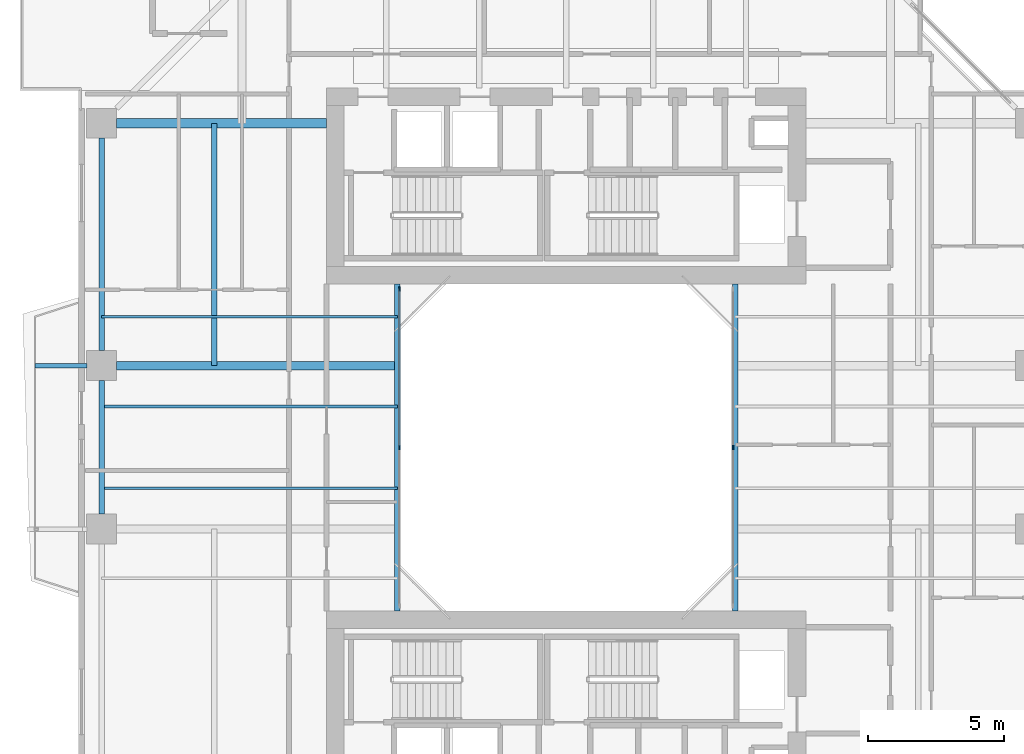
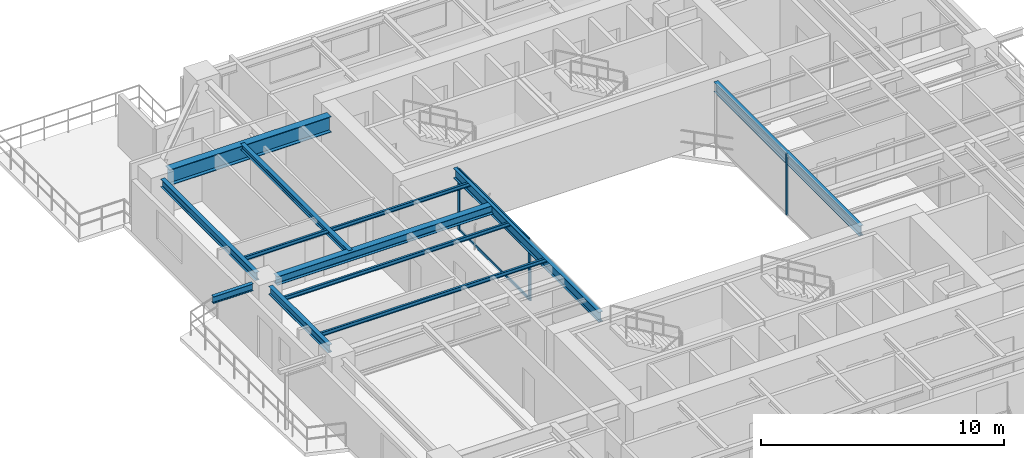
# One storey, part 5 of 17: 11 beams, 5 members, 2 elements without a shape of their own.
"""IFC4 building model written with IfcOpenShell, lengths in metres."""

from ifc_helpers import new_model, si_unit, direction, frame, origin, origin_2d, place, context, subcontext, project, spatial, rectangle, i_section, extrude, source, transform, mapped, material, layer, layer_set, material_profile, profile_set, type_object, element, aggregate, save


model = new_model("IFC4")

# Units and contexts
model_context = context("Model", 3, precision=1e-05, world=origin(), true_north=direction((0.0, 1.0)))
body_context = subcontext(model_context, "Body", "Model", "MODEL_VIEW")
ifc_project = project(units=[si_unit("LENGTHUNIT", "METRE"), si_unit("AREAUNIT", "SQUARE_METRE"), si_unit("VOLUMEUNIT", "CUBIC_METRE"), si_unit("PLANEANGLEUNIT", "RADIAN"), si_unit("MASSUNIT", "GRAM", prefix="KILO"), si_unit("THERMODYNAMICTEMPERATUREUNIT", "KELVIN"), si_unit("POWERUNIT", "WATT")], contexts=[model_context])

# Site, building, storey
site_placement = place(None, origin())
site = spatial("IfcSite", under=ifc_project, at=site_placement, CompositionType="ELEMENT")
building_placement = place(site_placement, origin())
building = spatial("IfcBuilding", under=site, at=building_placement, Name="Qiaomeng Ring Towers", CompositionType="ELEMENT")
storey_placement = place(building_placement, frame((0.0, 0.0, 132.75)))
storey = spatial("IfcBuildingStorey", under=building, at=storey_placement, Name="L38", CompositionType="ELEMENT", Elevation=132.75)

# Beams
ifc_material_1 = material(Name="Steel Q355B", Category="steel")
ifc_material_profile_1 = material_profile(ifc_material_1, i_section(OverallWidth=0.199951171875, OverallDepth=0.5, WebThickness=0.010009765625, FlangeThickness=0.01611328125, FilletRadius=0.02001953125, at=origin_2d()), Name="HN 500x200x10x16")
ifc_profile_set_1 = profile_set([ifc_material_profile_1], Name="Steel Q355B")
beam_type_1 = type_object("IfcBeamType", Name="STR-BM-HN500", PredefinedType="BEAM", material=ifc_profile_set_1)
shared_shape_1 = source(origin(), body_context, "Body", "SweptSolid", [
    extrude(i_section(OverallWidth=0.199951171875, OverallDepth=0.5, WebThickness=0.010009765625, FlangeThickness=0.01611328125, FilletRadius=0.02001953125, at=origin_2d()), origin(), (0.0, 0.0, 1.0), 12.0),
])
for number, where, z_axis, x_axis, name in (
    (1, (12.800048828125, 17.0, 2.820068359375), (0.0, 1.0, 0.0), (-1.0, 0.0, 0.0), "L38 beam STR-BM-L38-WELL-W"),
    (2, (25.199951171875, 17.0, 2.820068359375), (0.0, 1.0, 0.0), (-1.0, 0.0, 0.0), "L38 beam STR-BM-L38-WELL-E"),
):
    element("IfcBeam", number, at=place(storey_placement, frame(where, z_axis=z_axis, x_axis=x_axis)), inside=storey, type_object=beam_type_1, Name=name, PredefinedType="BEAM", context=body_context, shape_type="MappedRepresentation", body=[
        mapped(shared_shape_1, transform((0.0, 0.0, 0.0), x_axis=(1.0, 0.0, 0.0), y_axis=(0.0, 1.0, 0.0), z_axis=(0.0, 0.0, 1.0), scale=1.0)),
    ])
ifc_material_profile_2 = material_profile(ifc_material_1, i_section(OverallWidth=0.199951171875, OverallDepth=0.39990234375, WebThickness=0.008056640625, FlangeThickness=0.012939453125, FilletRadius=0.01611328125, at=origin_2d()), Name="HN 400x200x8x13")
ifc_profile_set_2 = profile_set([ifc_material_profile_2], Name="Steel Q355B")
beam_type_2 = type_object("IfcBeamType", Name="STR-BM-HN400", PredefinedType="SPANDREL", material=ifc_profile_set_2)
shared_shape_2 = source(origin(), body_context, "Body", "SweptSolid", [
    extrude(i_section(OverallWidth=0.199951171875, OverallDepth=0.39990234375, WebThickness=0.008056640625, FlangeThickness=0.012939453125, FilletRadius=0.01611328125, at=origin_2d()), origin(), (0.0, 0.0, 1.0), 7.802001953125),
])
beam_1_placement = place(storey_placement, frame((1.949951171875, 34.35107421875, 2.8701171875), z_axis=(0.0, -1.0, 0.0), x_axis=(1.0, 0.0, 0.0)))
element("IfcBeam", 3, at=beam_1_placement, inside=storey, type_object=beam_type_2, Name="L38 beam STR-SP-L38-T1-W4-W3", PredefinedType="SPANDREL", context=body_context, shape_type="MappedRepresentation", body=[
    mapped(shared_shape_2, transform((0.0, 0.0, 0.0), x_axis=(1.0, 0.0, 0.0), y_axis=(0.0, 1.0, 0.0), z_axis=(0.0, 0.0, 1.0), scale=1.0)),
])
shared_shape_3 = source(origin(), body_context, "Body", "SweptSolid", [
    extrude(i_section(OverallWidth=0.199951171875, OverallDepth=0.39990234375, WebThickness=0.008056640625, FlangeThickness=0.012939453125, FilletRadius=0.01611328125, at=origin_2d()), origin(), (0.0, 0.0, 1.0), 4.90185546875),
])
beam_2_placement = place(storey_placement, frame((1.949951171875, 25.450927734375, 2.8701171875), z_axis=(0.0, -1.0, 0.0), x_axis=(1.0, 0.0, 0.0)))
element("IfcBeam", 4, at=beam_2_placement, inside=storey, type_object=beam_type_2, Name="L38 beam STR-SP-L38-T1-W3-W2", PredefinedType="SPANDREL", context=body_context, shape_type="MappedRepresentation", body=[
    mapped(shared_shape_3, transform((0.0, 0.0, 0.0), x_axis=(1.0, 0.0, 0.0), y_axis=(0.0, 1.0, 0.0), z_axis=(0.0, 0.0, 1.0), scale=1.0)),
])
ifc_material_2 = material(Name="Steel Q390GJC", Category="steel")
ifc_material_profile_3 = material_profile(ifc_material_2, i_section(OverallWidth=0.35009765625, OverallDepth=0.800048828125, WebThickness=0.01611328125, FlangeThickness=0.028076171875, at=origin_2d()), Name="WH 800x350x16x28")
ifc_profile_set_3 = profile_set([ifc_material_profile_3], Name="Steel Q390GJC")
beam_type_3 = type_object("IfcBeamType", Name="STR-BM-WH800", PredefinedType="BEAM", material=ifc_profile_set_3)
shared_shape_4 = source(origin(), body_context, "Body", "SweptSolid", [
    extrude(i_section(OverallWidth=0.35009765625, OverallDepth=0.800048828125, WebThickness=0.01611328125, FlangeThickness=0.028076171875, at=origin_2d()), origin(), (0.0, 0.0, 1.0), 7.700927734375),
])
beam_3_placement = place(storey_placement, frame((2.4990234375, 34.89990234375, 2.669921875), z_axis=(1.0, 0.0, 0.0), x_axis=(0.0, 1.0, 0.0)))
element("IfcBeam", 5, at=beam_3_placement, inside=storey, type_object=beam_type_3, Name="L38 beam STR-BM-L38-T1-RAD-W4", PredefinedType="BEAM", context=body_context, shape_type="MappedRepresentation", body=[
    mapped(shared_shape_4, transform((0.0, 0.0, 0.0), x_axis=(1.0, 0.0, 0.0), y_axis=(0.0, 1.0, 0.0), z_axis=(0.0, 0.0, 1.0), scale=1.0)),
])
ifc_material_profile_4 = material_profile(ifc_material_1, i_section(OverallWidth=0.300048828125, OverallDepth=0.43994140625, WebThickness=0.010986328125, FlangeThickness=0.01806640625, FilletRadius=0.02392578125, at=origin_2d()), Name="HM 440x300x11x18")
ifc_profile_set_4 = profile_set([ifc_material_profile_4], Name="Steel Q355B")
beam_type_4 = type_object("IfcBeamType", Name="STR-BM-HM440", PredefinedType="BEAM", material=ifc_profile_set_4)
shared_shape_5 = source(origin(), body_context, "Body", "SweptSolid", [
    extrude(i_section(OverallWidth=0.300048828125, OverallDepth=0.43994140625, WebThickness=0.010986328125, FlangeThickness=0.01806640625, FilletRadius=0.02392578125, at=origin_2d()), origin(), (0.0, 0.0, 1.0), 10.301025390625),
])
beam_4_placement = place(storey_placement, frame((2.4990234375, 26.0, 2.85009765625), z_axis=(1.0, 0.0, 0.0), x_axis=(0.0, 1.0, 0.0)))
element("IfcBeam", 6, at=beam_4_placement, inside=storey, type_object=beam_type_4, Name="L38 beam STR-BM-L38-T1-RAD-W3", PredefinedType="BEAM", context=body_context, shape_type="MappedRepresentation", body=[
    mapped(shared_shape_5, transform((0.0, 0.0, 0.0), x_axis=(1.0, 0.0, 0.0), y_axis=(0.0, 1.0, 0.0), z_axis=(0.0, 0.0, 1.0), scale=1.0)),
])
ifc_material_profile_5 = material_profile(ifc_material_1, i_section(OverallWidth=0.10009765625, OverallDepth=0.199951171875, WebThickness=0.005615234375, FlangeThickness=0.008056640625, FilletRadius=0.010986328125, at=origin_2d()), Name="HN 200x100x5.5x8")
ifc_profile_set_5 = profile_set([ifc_material_profile_5], Name="Steel Q355B")
beam_type_5 = type_object("IfcBeamType", Name="STR-BM-HN200", PredefinedType="JOIST", material=ifc_profile_set_5)
shared_shape_6 = source(origin(), body_context, "Body", "SweptSolid", [
    extrude(i_section(OverallWidth=0.10009765625, OverallDepth=0.199951171875, WebThickness=0.005615234375, FlangeThickness=0.008056640625, FilletRadius=0.010986328125, at=origin_2d()), origin(), (0.0, 0.0, 1.0), 10.85009765625),
])
for number, where, z_axis, x_axis, name in (
    (7, (1.949951171875, 21.5, 2.969970703125), (1.0, 0.0, 0.0), (0.0, 1.0, 0.0), "L38 beam STR-JST-L38-T1W-2"),
    (8, (1.949951171875, 24.5, 2.969970703125), (1.0, 0.0, 0.0), (0.0, 1.0, 0.0), "L38 beam STR-JST-L38-T1W-3"),
    (9, (1.949951171875, 27.800048828125, 2.969970703125), (1.0, 0.0, 0.0), (0.0, 1.0, 0.0), "L38 beam STR-JST-L38-T1W-4"),
):
    element("IfcBeam", number, at=place(storey_placement, frame(where, z_axis=z_axis, x_axis=x_axis)), inside=storey, type_object=beam_type_5, Name=name, PredefinedType="JOIST", context=body_context, shape_type="MappedRepresentation", body=[
        mapped(shared_shape_6, transform((0.0, 0.0, 0.0), x_axis=(1.0, 0.0, 0.0), y_axis=(0.0, 1.0, 0.0), z_axis=(0.0, 0.0, 1.0), scale=1.0)),
    ])
ifc_material_profile_6 = material_profile(ifc_material_1, i_section(OverallWidth=0.199951171875, OverallDepth=0.2939453125, WebThickness=0.008056640625, FlangeThickness=0.011962890625, FilletRadius=0.01806640625, at=origin_2d()), Name="HM 294x200x8x12")
ifc_profile_set_6 = profile_set([ifc_material_profile_6], Name="Steel Q355B")
beam_type_6 = type_object("IfcBeamType", Name="STR-BM-HM294", PredefinedType="JOIST", material=ifc_profile_set_6)
shared_shape_7 = source(origin(), body_context, "Body", "SweptSolid", [
    extrude(i_section(OverallWidth=0.199951171875, OverallDepth=0.2939453125, WebThickness=0.008056640625, FlangeThickness=0.011962890625, FilletRadius=0.01806640625, at=origin_2d()), origin(), (0.0, 0.0, 1.0), 8.89990234375),
])
beam_5_placement = place(storey_placement, frame((6.074951171875, 26.0, 2.923095703125), z_axis=(0.0, 1.0, 0.0), x_axis=(-1.0, 0.0, 0.0)))
element("IfcBeam", 10, at=beam_5_placement, inside=storey, type_object=beam_type_6, Name="L38 beam STR-JST-L38-T1C-WN", PredefinedType="JOIST", context=body_context, shape_type="MappedRepresentation", body=[
    mapped(shared_shape_7, transform((0.0, 0.0, 0.0), x_axis=(1.0, 0.0, 0.0), y_axis=(0.0, 1.0, 0.0), z_axis=(0.0, 0.0, 1.0), scale=1.0)),
])
ifc_material_profile_7 = material_profile(ifc_material_1, i_section(OverallWidth=0.175048828125, OverallDepth=0.35009765625, WebThickness=0.007080078125, FlangeThickness=0.010986328125, FilletRadius=0.013916015625, at=origin_2d()), Name="HN 350x175x7x11")
ifc_profile_set_7 = profile_set([ifc_material_profile_7], Name="Steel Q355B")
beam_type_7 = type_object("IfcBeamType", Name="STR-BM-HN350", PredefinedType="JOIST", material=ifc_profile_set_7)
shared_shape_8 = source(origin(), body_context, "Body", "SweptSolid", [
    extrude(i_section(OverallWidth=0.175048828125, OverallDepth=0.35009765625, WebThickness=0.007080078125, FlangeThickness=0.010986328125, FilletRadius=0.013916015625, at=origin_2d()), origin(), (0.0, 0.0, 1.0), 1.90087890625),
])
beam_6_placement = place(storey_placement, frame((-0.5, 26.0, 2.89501953125), z_axis=(1.0, 0.0, 0.0), x_axis=(0.0, 1.0, 0.0)))
element("IfcBeam", 11, at=beam_6_placement, inside=storey, type_object=beam_type_7, Name="L38 beam STR-BALBM-L38-W3", PredefinedType="JOIST", context=body_context, shape_type="MappedRepresentation", body=[
    mapped(shared_shape_8, transform((0.0, 0.0, 0.0), x_axis=(1.0, 0.0, 0.0), y_axis=(0.0, 1.0, 0.0), z_axis=(0.0, 0.0, 1.0), scale=1.0)),
])

# Curtain wall, members
ifc_material_3 = material(Name="Fluorocarbon dark-grey aluminium", Category="aluminium")
ifc_layer = layer(ifc_material_3, 0.139892578125, Name="Fluorocarbon dark-grey aluminium")
ifc_layer_set = layer_set([ifc_layer], Name="Fluorocarbon dark-grey aluminium")
curtain_wall_type = type_object("IfcCurtainWallType", Name="ARC-CW-4", PredefinedType="NOTDEFINED", material=ifc_layer_set)
curtain_wall_1_placement = place(storey_placement, origin())
curtain_wall_1 = element("IfcCurtainWall", 12, at=curtain_wall_1_placement, inside=storey, type_object=curtain_wall_type, Name="L38 Curtain Wall CW4", PredefinedType="NOTDEFINED")
ifc_material_profile_8 = material_profile(ifc_material_3, rectangle(XDim=0.06494140625, YDim=0.159912109375, at=origin_2d()), Name="ALU MULL 65x160")
ifc_profile_set_8 = profile_set([ifc_material_profile_8], Name="Fluorocarbon dark-grey aluminium")
member_type_1 = type_object("IfcMemberType", Name="ARC-CWM-140", PredefinedType="MULLION", material=ifc_profile_set_8)
shared_shape_9 = source(origin(), body_context, "Body", "SweptSolid", [
    extrude(rectangle(XDim=0.06494140625, YDim=0.159912109375, at=origin_2d()), origin(), (0.0, 0.0, 1.0), 3.070068359375),
])
member_1_placement = place(storey_placement, frame((12.8798828125, 23.0, 0.0), z_axis=(0.0, 0.0, 1.0), x_axis=(-1.0, 0.0, 0.0)))
member_1 = element("IfcMember", 13, at=member_1_placement, type_object=member_type_1, Name="CW4 mullion 2", PredefinedType="MULLION", context=body_context, shape_type="MappedRepresentation", body=[
    mapped(shared_shape_9, transform((0.0, 0.0, 0.0), x_axis=(1.0, 0.0, 0.0), y_axis=(0.0, 1.0, 0.0), z_axis=(0.0, 0.0, 1.0), scale=1.0)),
])
member_2_placement = place(storey_placement, frame((12.8798828125, 28.8173828125, 0.0), z_axis=(0.0, 0.0, 1.0), x_axis=(-1.0, 0.0, 0.0)))
member_2 = element("IfcMember", 14, at=member_2_placement, type_object=member_type_1, Name="CW4 mullion 3", PredefinedType="MULLION", context=body_context, shape_type="MappedRepresentation", body=[
    mapped(shared_shape_9, transform((0.0, 0.0, 0.0), x_axis=(1.0, 0.0, 0.0), y_axis=(0.0, 1.0, 0.0), z_axis=(0.0, 0.0, 1.0), scale=1.0)),
])

# Curtain wall, member
curtain_wall_2_placement = place(storey_placement, origin())
curtain_wall_2 = element("IfcCurtainWall", 15, at=curtain_wall_2_placement, inside=storey, type_object=curtain_wall_type, Name="L38 Curtain Wall CW4", PredefinedType="NOTDEFINED")
member_3_placement = place(storey_placement, frame((25.1201171875, 23.0, 0.0), z_axis=(0.0, 0.0, 1.0), x_axis=(-1.0, 0.0, 0.0)))
member_3 = element("IfcMember", 16, at=member_3_placement, type_object=member_type_1, Name="CW4 mullion 2", PredefinedType="MULLION", context=body_context, shape_type="MappedRepresentation", body=[
    mapped(shared_shape_9, transform((0.0, 0.0, 0.0), x_axis=(1.0, 0.0, 0.0), y_axis=(0.0, 1.0, 0.0), z_axis=(0.0, 0.0, 1.0), scale=1.0)),
])
aggregate(curtain_wall_2, [member_3])

# Member
ifc_material_profile_9 = material_profile(ifc_material_3, rectangle(XDim=0.06494140625, YDim=0.1298828125, at=origin_2d()), Name="ALU TRAN 65x130")
ifc_profile_set_9 = profile_set([ifc_material_profile_9], Name="Fluorocarbon dark-grey aluminium")
member_type_2 = type_object("IfcMemberType", Name="ARC-CWT-120", PredefinedType="USERDEFINED", material=ifc_profile_set_9)
shared_shape_10 = source(origin(), body_context, "Body", "SweptSolid", [
    extrude(rectangle(XDim=0.06494140625, YDim=0.1298828125, at=origin_2d()), origin(), (0.0, 0.0, 1.0), 5.75244140625),
])
member_4_placement = place(storey_placement, frame((12.8798828125, 23.032470703125, 0.032470703125), z_axis=(0.0, 1.0, 0.0), x_axis=(-1.0, 0.0, 0.0)))
member_4 = element("IfcMember", 17, at=member_4_placement, type_object=member_type_2, Name="CW4 transom 2.1", ObjectType="TRANSOM", PredefinedType="USERDEFINED", context=body_context, shape_type="MappedRepresentation", body=[
    mapped(shared_shape_10, transform((0.0, 0.0, 0.0), x_axis=(1.0, 0.0, 0.0), y_axis=(0.0, 1.0, 0.0), z_axis=(0.0, 0.0, 1.0), scale=1.0)),
])

member_5_placement = place(storey_placement, frame((12.8798828125, 23.032470703125, 3.03759765625), z_axis=(0.0, 1.0, 0.0), x_axis=(-1.0, 0.0, 0.0)))
member_5 = element("IfcMember", 18, at=member_5_placement, type_object=member_type_2, Name="CW4 transom 2.2", ObjectType="TRANSOM", PredefinedType="USERDEFINED", context=body_context, shape_type="MappedRepresentation", body=[
    mapped(shared_shape_10, transform((0.0, 0.0, 0.0), x_axis=(1.0, 0.0, 0.0), y_axis=(0.0, 1.0, 0.0), z_axis=(0.0, 0.0, 1.0), scale=1.0)),
])

aggregate(curtain_wall_1, [member_1, member_2, member_4, member_5])

save(model, "model.ifc")
